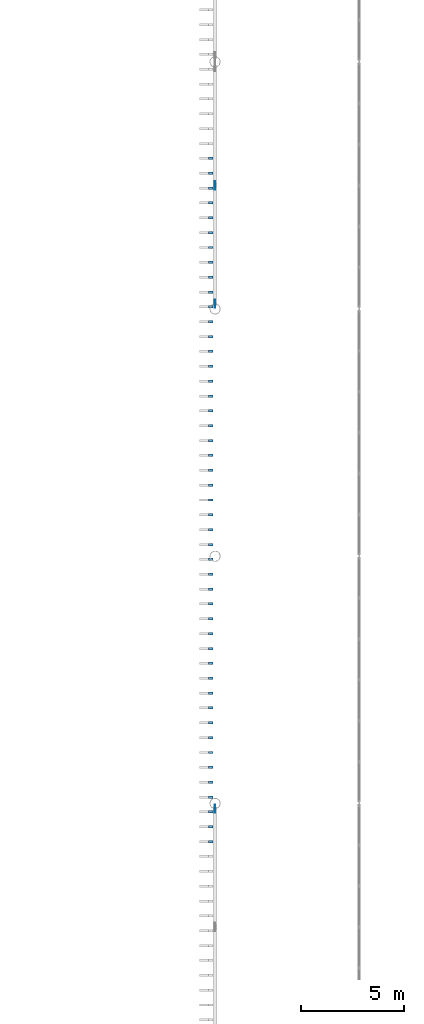
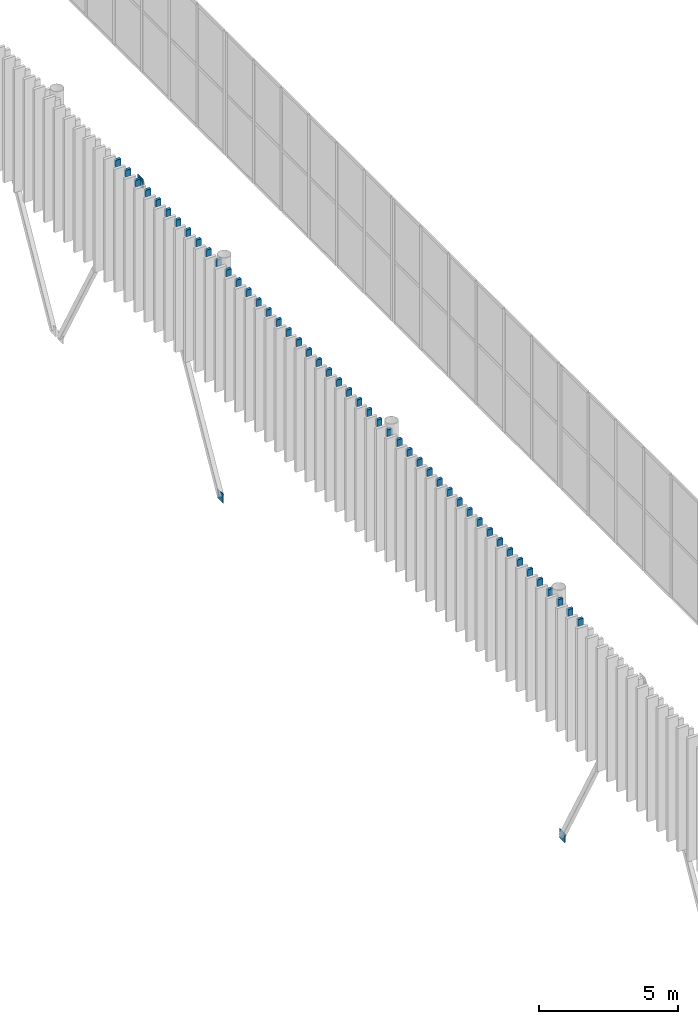
# One storey, part 132 of 170: 50 discrete accessories.
"""IFC4 building model written with IfcOpenShell, lengths in metres."""

import ifcopenshell
import ifcopenshell.guid

model = None  # the IFC model being written
_history = None  # IfcOwnerHistory: only IFC2X3 demands one
_inside = {}  # id of a spatial element -> (the spatial element, [elements in it])
_under = {}  # id of a project, library or spatial element -> (it, [spatial elements below it])
_declared = {}  # id of a project -> (the project, [libraries it declares])
_typed = {}  # id of a type object -> (the type object, [elements of that type])
_made_of = {}  # id of a material, layer set ... -> (it, [elements and type objects made of it])


def new_model(schema):
    """Start an empty IFC model of exactly this schema.

    Asked for "IFC4X3", IfcOpenShell would pick the latest addendum, in which some entities
    have other attributes; the version numbers below select the first issue.
    IFC2X3 requires an IfcOwnerHistory on every rooted entity: one is made here for all.
    """
    global model, _history
    if schema == "IFC4X3":
        model = ifcopenshell.file(schema_version=(4, 3, 0, 0))
    else:
        model = ifcopenshell.file(schema=schema)
    _inside.clear()
    _under.clear()
    _declared.clear()
    _typed.clear()
    _made_of.clear()
    _history = None
    if model.schema == "IFC2X3":
        org = make("IfcOrganization", Name="unknown")
        user = make(
            "IfcPersonAndOrganization",
            ThePerson=make("IfcPerson", FamilyName="unknown"),
            TheOrganization=org,
        )
        app = make(
            "IfcApplication",
            ApplicationDeveloper=org,
            Version="unknown",
            ApplicationFullName="unknown",
            ApplicationIdentifier="unknown",
        )
        _history = make(
            "IfcOwnerHistory",
            OwningUser=user,
            OwningApplication=app,
            ChangeAction="ADDED",
            CreationDate=0,
        )
    return model


def make(cls, **values):
    """One entity of the class cls with the attributes given. An attribute that is None is left unset."""
    return model.create_entity(
        cls, **{name: value for name, value in values.items() if value is not None}
    )


def rooted(cls, **values):
    """An entity with a GlobalId (a new one), such as an element, a storey or a relation."""
    return make(cls, GlobalId=ifcopenshell.guid.new(), OwnerHistory=_history, **values)


def si_unit(unit_type, name, prefix=None):
    """IfcSIUnit, for example si_unit("LENGTHUNIT", "METRE", prefix="MILLI")."""
    return make("IfcSIUnit", UnitType=unit_type, Prefix=prefix, Name=name)


def assignment(units):
    """IfcUnitAssignment: the units of a project."""
    return None if units is None else make("IfcUnitAssignment", Units=units)


def point(xyz):
    """IfcCartesianPoint."""
    return None if xyz is None else make("IfcCartesianPoint", Coordinates=xyz)


def direction(xyz):
    """IfcDirection."""
    return None if xyz is None else make("IfcDirection", DirectionRatios=xyz)


def frame(location, z_axis=None, x_axis=None):
    """IfcAxis2Placement3D, a coordinate frame: its origin and axes. An axis left out is left unset."""
    return make(
        "IfcAxis2Placement3D",
        Location=point(location),
        Axis=direction(z_axis),
        RefDirection=direction(x_axis),
    )


def frame_2d(location, x_axis=None):
    """IfcAxis2Placement2D, a coordinate frame in the plane: its origin and x axis."""
    return make(
        "IfcAxis2Placement2D", Location=point(location), RefDirection=direction(x_axis)
    )


def origin():
    """The frame at (0, 0, 0) with its axes left unset."""
    return frame((0.0, 0.0, 0.0))


def origin_2d():
    """The frame at (0, 0) in the plane with its x axis left unset."""
    return frame_2d((0.0, 0.0))


def place(relative_to, where):
    """IfcLocalPlacement: puts the frame where relative to a parent placement (None: the world)."""
    return make(
        "IfcLocalPlacement", PlacementRelTo=relative_to, RelativePlacement=where
    )


def context(
    kind, dimensions, precision=None, world=None, true_north=None, identifier=None
):
    """IfcGeometricRepresentationContext, for example the 3D "Model" context."""
    return make(
        "IfcGeometricRepresentationContext",
        ContextIdentifier=identifier,
        ContextType=kind,
        CoordinateSpaceDimension=dimensions,
        Precision=precision,
        WorldCoordinateSystem=world,
        TrueNorth=true_north,
    )


def subcontext(parent, identifier, kind, view, scale=None):
    """IfcGeometricRepresentationSubContext, for example "Body" below "Model"."""
    return make(
        "IfcGeometricRepresentationSubContext",
        ContextIdentifier=identifier,
        ContextType=kind,
        ParentContext=parent,
        TargetScale=scale,
        TargetView=view,
    )


def project(units=None, contexts=None):
    """IfcProject with its units and contexts."""
    return rooted(
        "IfcProject",
        Name="project",
        RepresentationContexts=contexts,
        UnitsInContext=assignment(units),
    )


def spatial(cls, under=None, at=None, **own):
    """A site, building, storey or space (cls), placed at a placement, below another one or the project."""
    s = rooted(cls, ObjectPlacement=at, **own)
    if under is not None:
        _under.setdefault(under.id(), (under, []))[1].append(s)
    return s


def profile(cls, at=None, kind="AREA", **sizes):
    """A parametric profile (cls). Its sizes go by their IFC names, for example OverallWidth=200.0."""
    return make(cls, ProfileType=kind, Position=at, **sizes)


def rectangle(**sizes):
    """IfcRectangleProfileDef."""
    return profile("IfcRectangleProfileDef", **sizes)


def extrude(swept, where, along, depth):
    """IfcExtrudedAreaSolid: the profile swept, set in the frame where, extruded along a direction by depth."""
    return make(
        "IfcExtrudedAreaSolid",
        SweptArea=swept,
        Position=where,
        ExtrudedDirection=direction(along),
        Depth=depth,
    )


def shape(context_of_items, identifier, shape_type, items):
    """IfcShapeRepresentation: the items that make up one representation, for example the "Body"."""
    return make(
        "IfcShapeRepresentation",
        ContextOfItems=context_of_items,
        RepresentationIdentifier=identifier,
        RepresentationType=shape_type,
        Items=items,
    )


def material(Name=None, Category=None):
    """IfcMaterial."""
    return make("IfcMaterial", Name=Name, Category=Category)


def material_profile(
    of_material, cross_section, Name=None, Category=None, Priority=None
):
    """IfcMaterialProfile: a cross section and its material."""
    return make(
        "IfcMaterialProfile",
        Name=Name,
        Material=of_material,
        Profile=cross_section,
        Priority=Priority,
        Category=Category,
    )


def profile_set(profiles, Name=None, composite=None):
    """IfcMaterialProfileSet."""
    return make(
        "IfcMaterialProfileSet",
        Name=Name,
        MaterialProfiles=profiles,
        CompositeProfile=composite,
    )


def made_of(thing, what):
    """Note that an element or type object is made of a material, layer set ...; save() writes the relation."""
    if what is not None:
        _made_of.setdefault(what.id(), (what, []))[1].append(thing)
    return thing


def type_object(cls, material=None, **own):
    """A type object (cls), such as IfcWallType, which elements share."""
    return made_of(rooted(cls, **own), material)


def element(
    cls,
    number,
    at=None,
    inside=None,
    cuts=None,
    type_object=None,
    material=None,
    context=None,
    identifier="Body",
    shape_type=None,
    held_by="IfcProductDefinitionShape",
    body=None,
    shapes=None,
    **own,
):
    """One element of the class cls, such as IfcWall. Its Tag is "e" and its number.

    at: its placement. inside: the storey or other place that contains it. cuts: it is an
    opening in that element (IfcRelVoidsElement). A single representation is given by context,
    identifier, shape_type and body (its items); several are given by shapes. held_by: the class
    of the entity that holds the representations. save() writes the other relations.
    """
    e = rooted(cls, Tag="e%d" % number, ObjectPlacement=at, **own)
    if body is not None:
        shapes = [shape(context, identifier, shape_type, body)]
    if shapes is not None:
        e.Representation = make(held_by, Representations=shapes)
    if inside is not None:
        _inside.setdefault(inside.id(), (inside, []))[1].append(e)
    if cuts is not None:
        rooted(
            "IfcRelVoidsElement", RelatingBuildingElement=cuts, RelatedOpeningElement=e
        )
    if type_object is not None:
        _typed.setdefault(type_object.id(), (type_object, []))[1].append(e)
    return made_of(e, material)


def aggregate(whole, parts):
    """IfcRelAggregates: a whole, such as a stair, and the parts it consists of."""
    return rooted("IfcRelAggregates", RelatingObject=whole, RelatedObjects=parts)


def save(model, path):
    """Write the relations noted so far, then the file.

    IfcRelAggregates (storeys below a building ...), IfcRelContainedInSpatialStructure (elements
    in a storey), IfcRelDefinesByType, IfcRelAssociatesMaterial and IfcRelDeclares: one each for
    every whole, place, type object, material and project.
    """
    for whole, parts in _under.values():
        aggregate(whole, parts)
    for where, things in _inside.values():
        rooted(
            "IfcRelContainedInSpatialStructure",
            RelatedElements=things,
            RelatingStructure=where,
        )
    for kind, things in _typed.values():
        rooted("IfcRelDefinesByType", RelatedObjects=things, RelatingType=kind)
    for what, things in _made_of.values():
        rooted("IfcRelAssociatesMaterial", RelatedObjects=things, RelatingMaterial=what)
    for by, libraries in _declared.values():
        rooted("IfcRelDeclares", RelatingContext=by, RelatedDefinitions=libraries)
    model.write(path)


model = new_model("IFC4")

# Units and contexts
model_context = context("Model", 3, precision=1e-05, world=origin(), true_north=direction((0.0, 1.0)))
body_context = subcontext(model_context, "Body", "Model", "MODEL_VIEW")
ifc_project = project(units=[si_unit("LENGTHUNIT", "METRE"), si_unit("AREAUNIT", "SQUARE_METRE"), si_unit("VOLUMEUNIT", "CUBIC_METRE"), si_unit("PLANEANGLEUNIT", "RADIAN"), si_unit("MASSUNIT", "GRAM", prefix="KILO")], contexts=[model_context])

# Site, building, storey
site_placement = place(None, origin())
site = spatial("IfcSite", under=ifc_project, at=site_placement, CompositionType="ELEMENT")
building_placement = place(site_placement, origin())
building = spatial("IfcBuilding", under=site, at=building_placement, Name="Ravi Spectrum Wholesale Market", CompositionType="ELEMENT")
storey_placement = place(building_placement, frame((0.0, 0.0, 5.39990234375)))
storey = spatial("IfcBuildingStorey", under=building, at=storey_placement, Name="L01", CompositionType="ELEMENT", Elevation=5.39990234375)

# Discrete accessories
ifc_material_1 = material(Name="Steel S355", Category="steel")
discrete_accessory_type_1 = type_object("IfcDiscreteAccessoryType", Name="Fin bracket 120", PredefinedType="BRACKET", material=ifc_material_1)
for number, where, z_axis, x_axis, name in (
    (1, (29.800048828125, 109.313232421875, 4.89990234375), (0.0, 0.0, 1.0), (0.0, -1.0, 0.0), "Fin bracket B124"),
    (2, (29.800048828125, 108.59228515625, 4.89990234375), (0.0, 0.0, 1.0), (0.0, -1.0, 0.0), "Fin bracket B125"),
    (3, (29.800048828125, 107.871337890625, 4.89990234375), (0.0, 0.0, 1.0), (0.0, -1.0, 0.0), "Fin bracket B126"),
    (4, (29.800048828125, 107.150146484375, 4.89990234375), (0.0, 0.0, 1.0), (0.0, -1.0, 0.0), "Fin bracket B127"),
    (5, (29.800048828125, 106.42919921875, 4.89990234375), (0.0, 0.0, 1.0), (0.0, -1.0, 0.0), "Fin bracket B128"),
    (6, (29.800048828125, 105.708251953125, 4.89990234375), (0.0, 0.0, 1.0), (0.0, -1.0, 0.0), "Fin bracket B129"),
    (7, (29.800048828125, 104.987060546875, 4.89990234375), (0.0, 0.0, 1.0), (0.0, -1.0, 0.0), "Fin bracket B130"),
    (8, (29.800048828125, 104.26611328125, 4.89990234375), (0.0, 0.0, 1.0), (0.0, -1.0, 0.0), "Fin bracket B131"),
    (9, (29.800048828125, 103.545166015625, 4.89990234375), (0.0, 0.0, 1.0), (0.0, -1.0, 0.0), "Fin bracket B132"),
    (10, (29.800048828125, 102.823974609375, 4.89990234375), (0.0, 0.0, 1.0), (0.0, -1.0, 0.0), "Fin bracket B133"),
    (11, (29.800048828125, 102.10302734375, 4.89990234375), (0.0, 0.0, 1.0), (0.0, -1.0, 0.0), "Fin bracket B134"),
    (12, (29.800048828125, 101.382080078125, 4.89990234375), (0.0, 0.0, 1.0), (0.0, -1.0, 0.0), "Fin bracket B135"),
    (13, (29.800048828125, 100.660888671875, 4.89990234375), (0.0, 0.0, 1.0), (0.0, -1.0, 0.0), "Fin bracket B136"),
    (14, (29.800048828125, 99.93994140625, 4.89990234375), (0.0, 0.0, 1.0), (0.0, -1.0, 0.0), "Fin bracket B137"),
    (15, (29.800048828125, 99.218994140625, 4.89990234375), (0.0, 0.0, 1.0), (0.0, -1.0, 0.0), "Fin bracket B138"),
    (16, (29.800048828125, 98.497802734375, 4.89990234375), (0.0, 0.0, 1.0), (0.0, -1.0, 0.0), "Fin bracket B139"),
    (17, (29.800048828125, 97.77685546875, 4.89990234375), (0.0, 0.0, 1.0), (0.0, -1.0, 0.0), "Fin bracket B140"),
    (18, (29.800048828125, 97.055908203125, 4.89990234375), (0.0, 0.0, 1.0), (0.0, -1.0, 0.0), "Fin bracket B141"),
    (19, (29.800048828125, 96.334716796875, 4.89990234375), (0.0, 0.0, 1.0), (0.0, -1.0, 0.0), "Fin bracket B142"),
    (20, (29.800048828125, 95.61376953125, 4.89990234375), (0.0, 0.0, 1.0), (0.0, -1.0, 0.0), "Fin bracket B143"),
    (21, (29.800048828125, 94.892822265625, 4.89990234375), (0.0, 0.0, 1.0), (0.0, -1.0, 0.0), "Fin bracket B144"),
    (22, (29.800048828125, 94.171630859375, 4.89990234375), (0.0, 0.0, 1.0), (0.0, -1.0, 0.0), "Fin bracket B145"),
    (23, (29.800048828125, 93.45068359375, 4.89990234375), (0.0, 0.0, 1.0), (0.0, -1.0, 0.0), "Fin bracket B146"),
    (24, (29.800048828125, 92.7294921875, 4.89990234375), (0.0, 0.0, 1.0), (0.0, -1.0, 0.0), "Fin bracket B147"),
    (25, (29.800048828125, 92.008544921875, 4.89990234375), (0.0, 0.0, 1.0), (0.0, -1.0, 0.0), "Fin bracket B148"),
    (26, (29.800048828125, 91.28759765625, 4.89990234375), (0.0, 0.0, 1.0), (0.0, -1.0, 0.0), "Fin bracket B149"),
    (27, (29.800048828125, 90.56640625, 4.89990234375), (0.0, 0.0, 1.0), (0.0, -1.0, 0.0), "Fin bracket B150"),
    (28, (29.800048828125, 89.845458984375, 4.89990234375), (0.0, 0.0, 1.0), (0.0, -1.0, 0.0), "Fin bracket B151"),
    (29, (29.800048828125, 89.12451171875, 4.89990234375), (0.0, 0.0, 1.0), (0.0, -1.0, 0.0), "Fin bracket B152"),
    (30, (29.800048828125, 88.4033203125, 4.89990234375), (0.0, 0.0, 1.0), (0.0, -1.0, 0.0), "Fin bracket B153"),
    (31, (29.800048828125, 87.682373046875, 4.89990234375), (0.0, 0.0, 1.0), (0.0, -1.0, 0.0), "Fin bracket B154"),
    (32, (29.800048828125, 86.96142578125, 4.89990234375), (0.0, 0.0, 1.0), (0.0, -1.0, 0.0), "Fin bracket B155"),
    (33, (29.800048828125, 86.240234375, 4.89990234375), (0.0, 0.0, 1.0), (0.0, -1.0, 0.0), "Fin bracket B156"),
    (34, (29.800048828125, 85.519287109375, 4.89990234375), (0.0, 0.0, 1.0), (0.0, -1.0, 0.0), "Fin bracket B157"),
    (35, (29.800048828125, 84.79833984375, 4.89990234375), (0.0, 0.0, 1.0), (0.0, -1.0, 0.0), "Fin bracket B158"),
    (36, (29.800048828125, 84.0771484375, 4.89990234375), (0.0, 0.0, 1.0), (0.0, -1.0, 0.0), "Fin bracket B159"),
    (37, (29.800048828125, 83.356201171875, 4.89990234375), (0.0, 0.0, 1.0), (0.0, -1.0, 0.0), "Fin bracket B160"),
    (38, (29.800048828125, 82.63525390625, 4.89990234375), (0.0, 0.0, 1.0), (0.0, -1.0, 0.0), "Fin bracket B161"),
    (39, (29.800048828125, 81.9140625, 4.89990234375), (0.0, 0.0, 1.0), (0.0, -1.0, 0.0), "Fin bracket B162"),
    (40, (29.800048828125, 81.193115234375, 4.89990234375), (0.0, 0.0, 1.0), (0.0, -1.0, 0.0), "Fin bracket B163"),
    (41, (29.800048828125, 80.47216796875, 4.89990234375), (0.0, 0.0, 1.0), (0.0, -1.0, 0.0), "Fin bracket B164"),
    (42, (29.800048828125, 79.7509765625, 4.89990234375), (0.0, 0.0, 1.0), (0.0, -1.0, 0.0), "Fin bracket B165"),
    (43, (29.800048828125, 79.030029296875, 4.89990234375), (0.0, 0.0, 1.0), (0.0, -1.0, 0.0), "Fin bracket B166"),
    (44, (29.800048828125, 78.30908203125, 4.89990234375), (0.0, 0.0, 1.0), (0.0, -1.0, 0.0), "Fin bracket B167"),
    (45, (29.800048828125, 77.587890625, 4.89990234375), (0.0, 0.0, 1.0), (0.0, -1.0, 0.0), "Fin bracket B168"),
    (46, (29.800048828125, 76.866943359375, 4.89990234375), (0.0, 0.0, 1.0), (0.0, -1.0, 0.0), "Fin bracket B169"),
    (47, (29.800048828125, 76.14599609375, 4.89990234375), (0.0, 0.0, 1.0), (0.0, -1.0, 0.0), "Fin bracket B170"),
):
    element("IfcDiscreteAccessory", number, at=place(storey_placement, frame(where, z_axis=z_axis, x_axis=x_axis)), inside=storey, type_object=discrete_accessory_type_1, Name=name, PredefinedType="BRACKET", context=body_context, shape_type="SweptSolid", body=[
        extrude(rectangle(XDim=0.1201171875, YDim=0.219970703125, at=origin_2d()), origin(), (0.0, 0.0, 1.0), 0.300048828125),
    ])
ifc_material_2 = material(Name="Steel S355", Category="steel")
ifc_material_profile = material_profile(ifc_material_2, rectangle(XDim=0.39990234375, YDim=0.02001953125, at=origin_2d()))
ifc_profile_set = profile_set([ifc_material_profile], Name="Steel S355")
discrete_accessory_type_2 = type_object("IfcDiscreteAccessoryType", Name="Gusset plate 400x400x20", PredefinedType="BRACKET", material=ifc_profile_set)
for number, where, z_axis, x_axis, name in (
    (48, (30.0, 77.74609375, -5.55078125), (0.0, 0.0, 1.0), (0.0, -1.0, 0.0), "Gusset plate"),
    (49, (30.0, 102.25390625, -5.55078125), (0.0, 0.0, 1.0), (0.0, 1.0, 0.0), "Gusset plate"),
):
    element("IfcDiscreteAccessory", number, at=place(storey_placement, frame(where, z_axis=z_axis, x_axis=x_axis)), inside=storey, type_object=discrete_accessory_type_2, Name=name, PredefinedType="BRACKET", context=body_context, shape_type="SweptSolid", body=[
        extrude(rectangle(XDim=0.39990234375, YDim=0.02001953125, at=origin_2d()), origin(), (0.0, 0.0, 1.0), 0.39990234375),
    ])
discrete_accessory_placement = place(storey_placement, frame((30.0, 108.0, 4.75), z_axis=(0.0, 0.0, 1.0), x_axis=(0.0, 1.0, 0.0)))
element("IfcDiscreteAccessory", 50, at=discrete_accessory_placement, inside=storey, type_object=discrete_accessory_type_2, Name="Gusset plate", PredefinedType="BRACKET", context=body_context, shape_type="SweptSolid", body=[
    extrude(rectangle(XDim=0.39990234375, YDim=0.02001953125, at=origin_2d()), origin(), (0.0, 0.0, 1.0), 0.400146484375),
])

save(model, "model.ifc")
